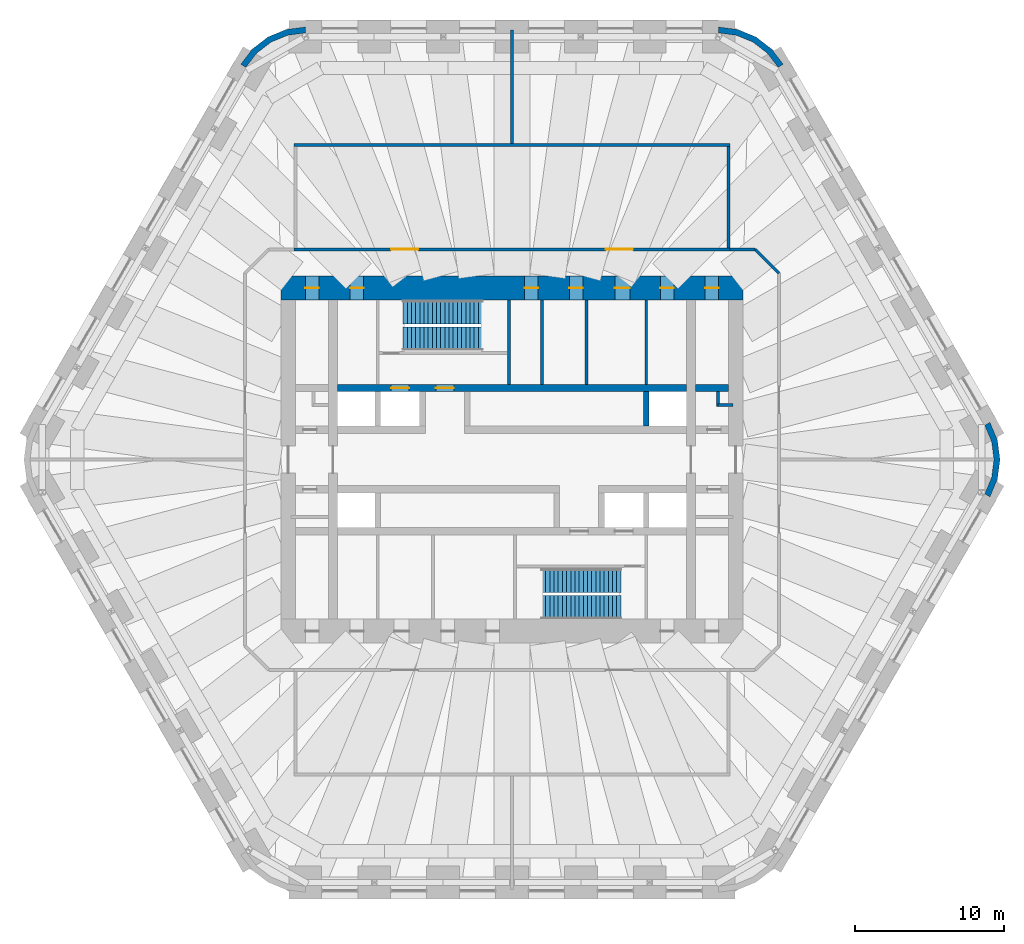
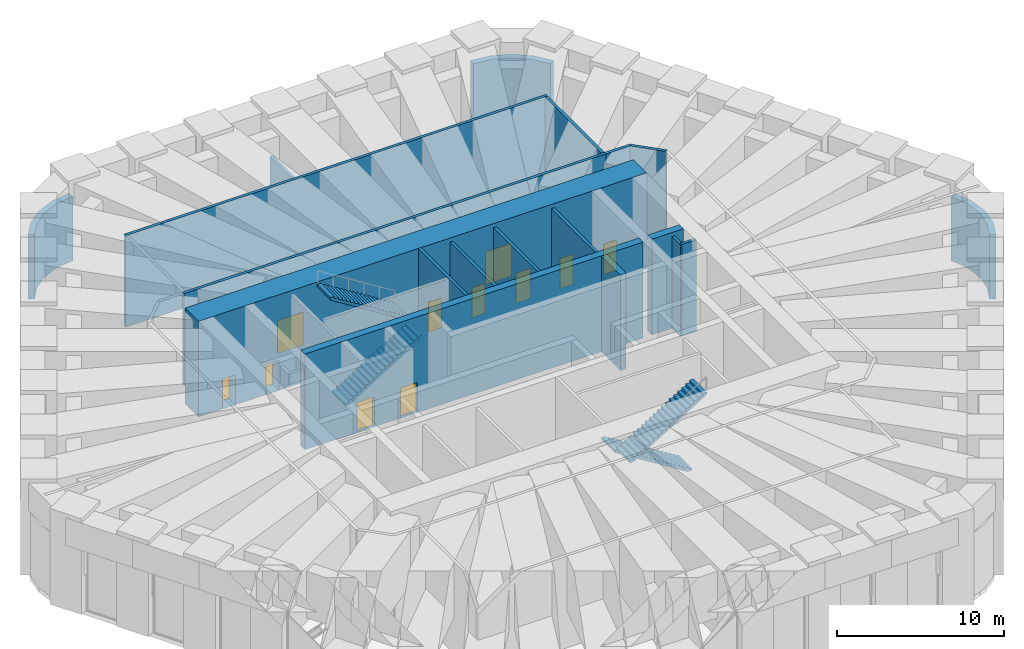
# One storey, part 13 of 14: 19 walls, 11 doors, 4 stair flights, 11 openings, 2 elements without a shape of their own.
"""IFC4 building model written with IfcOpenShell, lengths in metres."""

import ifcopenshell
import ifcopenshell.guid

model = None  # the IFC model being written
_history = None  # IfcOwnerHistory: only IFC2X3 demands one
_inside = {}  # id of a spatial element -> (the spatial element, [elements in it])
_under = {}  # id of a project, library or spatial element -> (it, [spatial elements below it])
_declared = {}  # id of a project -> (the project, [libraries it declares])
_typed = {}  # id of a type object -> (the type object, [elements of that type])
_made_of = {}  # id of a material, layer set ... -> (it, [elements and type objects made of it])


def new_model(schema):
    """Start an empty IFC model of exactly this schema.

    Asked for "IFC4X3", IfcOpenShell would pick the latest addendum, in which some entities
    have other attributes; the version numbers below select the first issue.
    IFC2X3 requires an IfcOwnerHistory on every rooted entity: one is made here for all.
    """
    global model, _history
    if schema == "IFC4X3":
        model = ifcopenshell.file(schema_version=(4, 3, 0, 0))
    else:
        model = ifcopenshell.file(schema=schema)
    _inside.clear()
    _under.clear()
    _declared.clear()
    _typed.clear()
    _made_of.clear()
    _history = None
    if model.schema == "IFC2X3":
        org = make("IfcOrganization", Name="unknown")
        user = make(
            "IfcPersonAndOrganization",
            ThePerson=make("IfcPerson", FamilyName="unknown"),
            TheOrganization=org,
        )
        app = make(
            "IfcApplication",
            ApplicationDeveloper=org,
            Version="unknown",
            ApplicationFullName="unknown",
            ApplicationIdentifier="unknown",
        )
        _history = make(
            "IfcOwnerHistory",
            OwningUser=user,
            OwningApplication=app,
            ChangeAction="ADDED",
            CreationDate=0,
        )
    return model


def make(cls, **values):
    """One entity of the class cls with the attributes given. An attribute that is None is left unset."""
    return model.create_entity(
        cls, **{name: value for name, value in values.items() if value is not None}
    )


def rooted(cls, **values):
    """An entity with a GlobalId (a new one), such as an element, a storey or a relation."""
    return make(cls, GlobalId=ifcopenshell.guid.new(), OwnerHistory=_history, **values)


def si_unit(unit_type, name, prefix=None):
    """IfcSIUnit, for example si_unit("LENGTHUNIT", "METRE", prefix="MILLI")."""
    return make("IfcSIUnit", UnitType=unit_type, Prefix=prefix, Name=name)


def assignment(units):
    """IfcUnitAssignment: the units of a project."""
    return None if units is None else make("IfcUnitAssignment", Units=units)


def point(xyz):
    """IfcCartesianPoint."""
    return None if xyz is None else make("IfcCartesianPoint", Coordinates=xyz)


def direction(xyz):
    """IfcDirection."""
    return None if xyz is None else make("IfcDirection", DirectionRatios=xyz)


def frame(location, z_axis=None, x_axis=None):
    """IfcAxis2Placement3D, a coordinate frame: its origin and axes. An axis left out is left unset."""
    return make(
        "IfcAxis2Placement3D",
        Location=point(location),
        Axis=direction(z_axis),
        RefDirection=direction(x_axis),
    )


def frame_2d(location, x_axis=None):
    """IfcAxis2Placement2D, a coordinate frame in the plane: its origin and x axis."""
    return make(
        "IfcAxis2Placement2D", Location=point(location), RefDirection=direction(x_axis)
    )


def origin():
    """The frame at (0, 0, 0) with its axes left unset."""
    return frame((0.0, 0.0, 0.0))


def place(relative_to, where):
    """IfcLocalPlacement: puts the frame where relative to a parent placement (None: the world)."""
    return make(
        "IfcLocalPlacement", PlacementRelTo=relative_to, RelativePlacement=where
    )


def context(
    kind, dimensions, precision=None, world=None, true_north=None, identifier=None
):
    """IfcGeometricRepresentationContext, for example the 3D "Model" context."""
    return make(
        "IfcGeometricRepresentationContext",
        ContextIdentifier=identifier,
        ContextType=kind,
        CoordinateSpaceDimension=dimensions,
        Precision=precision,
        WorldCoordinateSystem=world,
        TrueNorth=true_north,
    )


def subcontext(parent, identifier, kind, view, scale=None):
    """IfcGeometricRepresentationSubContext, for example "Body" below "Model"."""
    return make(
        "IfcGeometricRepresentationSubContext",
        ContextIdentifier=identifier,
        ContextType=kind,
        ParentContext=parent,
        TargetScale=scale,
        TargetView=view,
    )


def project(units=None, contexts=None):
    """IfcProject with its units and contexts."""
    return rooted(
        "IfcProject",
        Name="project",
        RepresentationContexts=contexts,
        UnitsInContext=assignment(units),
    )


def spatial(cls, under=None, at=None, **own):
    """A site, building, storey or space (cls), placed at a placement, below another one or the project."""
    s = rooted(cls, ObjectPlacement=at, **own)
    if under is not None:
        _under.setdefault(under.id(), (under, []))[1].append(s)
    return s


def polyline(points):
    """IfcPolyline through the points."""
    return make("IfcPolyline", Points=[point(p) for p in points])


def profile(cls, at=None, kind="AREA", **sizes):
    """A parametric profile (cls). Its sizes go by their IFC names, for example OverallWidth=200.0."""
    return make(cls, ProfileType=kind, Position=at, **sizes)


def rectangle(**sizes):
    """IfcRectangleProfileDef."""
    return profile("IfcRectangleProfileDef", **sizes)


def outline(outer, holes=None, kind="AREA"):
    """IfcArbitraryClosedProfileDef: a profile drawn as a closed curve; with holes, ...WithVoids."""
    if holes is None:
        return make("IfcArbitraryClosedProfileDef", ProfileType=kind, OuterCurve=outer)
    return make(
        "IfcArbitraryProfileDefWithVoids",
        ProfileType=kind,
        OuterCurve=outer,
        InnerCurves=holes,
    )


def extrude(swept, where, along, depth):
    """IfcExtrudedAreaSolid: the profile swept, set in the frame where, extruded along a direction by depth."""
    return make(
        "IfcExtrudedAreaSolid",
        SweptArea=swept,
        Position=where,
        ExtrudedDirection=direction(along),
        Depth=depth,
    )


def shape(context_of_items, identifier, shape_type, items):
    """IfcShapeRepresentation: the items that make up one representation, for example the "Body"."""
    return make(
        "IfcShapeRepresentation",
        ContextOfItems=context_of_items,
        RepresentationIdentifier=identifier,
        RepresentationType=shape_type,
        Items=items,
    )


def material(Name=None, Category=None):
    """IfcMaterial."""
    return make("IfcMaterial", Name=Name, Category=Category)


def layer(
    of_material, thickness, ventilated=None, Name=None, Category=None, Priority=None
):
    """IfcMaterialLayer: one layer of a wall or slab, of a material (None: an air gap)."""
    return make(
        "IfcMaterialLayer",
        Material=of_material,
        LayerThickness=thickness,
        IsVentilated=ventilated,
        Name=Name,
        Category=Category,
        Priority=Priority,
    )


def layer_set(layers, Name=None):
    """IfcMaterialLayerSet."""
    return make("IfcMaterialLayerSet", MaterialLayers=layers, LayerSetName=Name)


def made_of(thing, what):
    """Note that an element or type object is made of a material, layer set ...; save() writes the relation."""
    if what is not None:
        _made_of.setdefault(what.id(), (what, []))[1].append(thing)
    return thing


def type_object(cls, material=None, **own):
    """A type object (cls), such as IfcWallType, which elements share."""
    return made_of(rooted(cls, **own), material)


def element(
    cls,
    number,
    at=None,
    inside=None,
    cuts=None,
    type_object=None,
    material=None,
    context=None,
    identifier="Body",
    shape_type=None,
    held_by="IfcProductDefinitionShape",
    body=None,
    shapes=None,
    **own,
):
    """One element of the class cls, such as IfcWall. Its Tag is "e" and its number.

    at: its placement. inside: the storey or other place that contains it. cuts: it is an
    opening in that element (IfcRelVoidsElement). A single representation is given by context,
    identifier, shape_type and body (its items); several are given by shapes. held_by: the class
    of the entity that holds the representations. save() writes the other relations.
    """
    e = rooted(cls, Tag="e%d" % number, ObjectPlacement=at, **own)
    if body is not None:
        shapes = [shape(context, identifier, shape_type, body)]
    if shapes is not None:
        e.Representation = make(held_by, Representations=shapes)
    if inside is not None:
        _inside.setdefault(inside.id(), (inside, []))[1].append(e)
    if cuts is not None:
        rooted(
            "IfcRelVoidsElement", RelatingBuildingElement=cuts, RelatedOpeningElement=e
        )
    if type_object is not None:
        _typed.setdefault(type_object.id(), (type_object, []))[1].append(e)
    return made_of(e, material)


def fill(opening, filler):
    """IfcRelFillsElement: the door or window that sits in an opening."""
    return rooted(
        "IfcRelFillsElement",
        RelatingOpeningElement=opening,
        RelatedBuildingElement=filler,
    )


def aggregate(whole, parts):
    """IfcRelAggregates: a whole, such as a stair, and the parts it consists of."""
    return rooted("IfcRelAggregates", RelatingObject=whole, RelatedObjects=parts)


def save(model, path):
    """Write the relations noted so far, then the file.

    IfcRelAggregates (storeys below a building ...), IfcRelContainedInSpatialStructure (elements
    in a storey), IfcRelDefinesByType, IfcRelAssociatesMaterial and IfcRelDeclares: one each for
    every whole, place, type object, material and project.
    """
    for whole, parts in _under.values():
        aggregate(whole, parts)
    for where, things in _inside.values():
        rooted(
            "IfcRelContainedInSpatialStructure",
            RelatedElements=things,
            RelatingStructure=where,
        )
    for kind, things in _typed.values():
        rooted("IfcRelDefinesByType", RelatedObjects=things, RelatingType=kind)
    for what, things in _made_of.values():
        rooted("IfcRelAssociatesMaterial", RelatedObjects=things, RelatingMaterial=what)
    for by, libraries in _declared.values():
        rooted("IfcRelDeclares", RelatingContext=by, RelatedDefinitions=libraries)
    model.write(path)


model = new_model("IFC4")

# Units and contexts
model_context = context("Model", 3, precision=1e-05, world=origin(), true_north=direction((0.0, 1.0)))
body_context = subcontext(model_context, "Body", "Model", "MODEL_VIEW")
ifc_project = project(units=[si_unit("LENGTHUNIT", "METRE"), si_unit("AREAUNIT", "SQUARE_METRE"), si_unit("VOLUMEUNIT", "CUBIC_METRE"), si_unit("PLANEANGLEUNIT", "RADIAN"), si_unit("MASSUNIT", "GRAM", prefix="KILO")], contexts=[model_context])

# Site, building, storey
site_placement = place(None, origin())
site = spatial("IfcSite", under=ifc_project, at=site_placement, CompositionType="ELEMENT")
building_placement = place(site_placement, origin())
building = spatial("IfcBuilding", under=site, at=building_placement, Name="Tarfa Lantern Tower", CompositionType="ELEMENT")
storey_placement = place(building_placement, frame((0.0, 0.0, 299.5)))
storey = spatial("IfcBuildingStorey", under=building, at=storey_placement, Name="L68", CompositionType="ELEMENT", Elevation=299.5)

# Walls
ifc_material_1 = material(Name="Limestone cladding on blockwork", Category="masonry")
ifc_layer_1 = layer(ifc_material_1, 0.39990234375)
ifc_layer_set_1 = layer_set([ifc_layer_1], Name="EW2 CURVED STONE CORNER 400")
wall_type_1 = type_object("IfcWallType", Name="EW2 CURVED STONE CORNER 400", PredefinedType="SOLIDWALL", material=ifc_layer_set_1)
wall_1_placement = place(storey_placement, origin())
element("IfcWall", 1, at=wall_1_placement, inside=storey, type_object=wall_type_1, Name="Stone corner NE-N", PredefinedType="SOLIDWALL", context=body_context, shape_type="SweptSolid", body=[
    extrude(outline(polyline([(18.1865234375, 26.5), (17.391845703125, 27.53564453125), (16.3564453125, 28.330078125), (15.150390625, 28.82958984375), (13.8564453125, 29.0), (13.8564453125, 28.60009765625), (15.046875, 28.443359375), (16.156494140625, 27.983642578125), (17.109130859375, 27.252685546875), (17.840087890625, 26.300048828125), (18.1865234375, 26.5)])), origin(), (0.0, 0.0, 1.0), 4.699951171875),
])
wall_2_placement = place(storey_placement, origin())
element("IfcWall", 2, at=wall_2_placement, inside=storey, type_object=wall_type_1, Name="Stone corner N-NW", PredefinedType="SOLIDWALL", context=body_context, shape_type="SweptSolid", body=[
    extrude(outline(polyline([(-13.8564453125, 29.0), (-15.150390625, 28.82958984375), (-16.3564453125, 28.330078125), (-17.391845703125, 27.53564453125), (-18.1865234375, 26.5), (-17.840087890625, 26.300048828125), (-17.109130859375, 27.252685546875), (-16.156494140625, 27.983642578125), (-15.046875, 28.443359375), (-13.8564453125, 28.60009765625), (-13.8564453125, 29.0)])), origin(), (0.0, 0.0, 1.0), 4.699951171875),
])
wall_3_placement = place(storey_placement, origin())
element("IfcWall", 3, at=wall_3_placement, inside=storey, type_object=wall_type_1, Name="Stone corner SE-NE", PredefinedType="SOLIDWALL", context=body_context, shape_type="SweptSolid", body=[
    extrude(outline(polyline([(32.04296875, -2.5), (32.54248046875, -1.294189453125), (32.712890625, 0.0), (32.54248046875, 1.294189453125), (32.04296875, 2.5), (31.696533203125, 2.300048828125), (32.156005859375, 1.190673828125), (32.312744140625, 0.0), (32.156005859375, -1.190673828125), (31.696533203125, -2.300048828125), (32.04296875, -2.5)])), origin(), (0.0, 0.0, 1.0), 4.699951171875),
])
ifc_material_2 = material(Name="Concrete blockwork", Category="masonry")
ifc_layer_2 = layer(ifc_material_2, 0.199951171875)
ifc_layer_set_2 = layer_set([ifc_layer_2], Name="IW1 BLOCKWORK PARTITION 200 EI 120")
wall_type_2 = type_object("IfcWallType", Name="IW1 BLOCKWORK PARTITION 200 EI 120", PredefinedType="PARTITIONING", material=ifc_layer_set_2)
for number, where, z_axis, x_axis, name in (
    (4, (9.0, 5.050048828125, 0.0), (0.0, 0.0, 1.0), (0.0, 1.0, 0.0), "Core partition"),
    (5, (2.0, 5.050048828125, 0.0), (0.0, 0.0, 1.0), (0.0, 1.0, 0.0), "Core partition"),
    (6, (5.0, 5.050048828125, 0.0), (0.0, 0.0, 1.0), (0.0, 1.0, 0.0), "Core partition"),
):
    element("IfcWall", number, at=place(storey_placement, frame(where, z_axis=z_axis, x_axis=x_axis)), inside=storey, type_object=wall_type_2, Name=name, PredefinedType="PARTITIONING", context=body_context, shape_type="SweptSolid", body=[
        extrude(rectangle(XDim=5.64990234375, YDim=0.199951171875, at=frame_2d((2.824951171875, 0.0))), origin(), (0.0, 0.0, 1.0), 6.699951171875),
    ])
for number, where, z_axis, x_axis, name in (
    (7, (13.800048828125, 3.64990234375, 0.0), (0.0, 0.0, 1.0), (1.0, 0.0, 0.0), "Core partition"),
    (8, (13.800048828125, 3.550048828125, 0.0), (0.0, 0.0, 1.0), (0.0, 1.0, 0.0), "Core partition"),
):
    element("IfcWall", number, at=place(storey_placement, frame(where, z_axis=z_axis, x_axis=x_axis)), inside=storey, type_object=wall_type_2, Name=name, PredefinedType="PARTITIONING", context=body_context, shape_type="SweptSolid", body=[
        extrude(rectangle(XDim=1.0, YDim=0.199951171875, at=frame_2d((0.5, 0.0))), origin(), (0.0, 0.0, 1.0), 6.699951171875),
    ])
wall_4_placement = place(storey_placement, frame((14.60009765625, 14.10009765625, 0.0), z_axis=(0.0, 0.0, 1.0), x_axis=(1.0, 0.0, 0.0)))
element("IfcWall", 9, at=wall_4_placement, inside=storey, type_object=wall_type_2, Name="Fire-rated partition", PredefinedType="PARTITIONING", context=body_context, shape_type="SweptSolid", body=[
    extrude(rectangle(XDim=1.699951171875, YDim=0.199951171875, at=frame_2d((0.85009765625, 0.0))), origin(), (0.0, 0.0, 1.0), 6.699951171875),
])
wall_5_placement = place(storey_placement, frame((16.300048828125, 14.10009765625, 0.0), z_axis=(0.0, 0.0, 1.0), x_axis=(0.707052830339, -0.707160727918, 0.0)))
element("IfcWall", 10, at=wall_5_placement, inside=storey, type_object=wall_type_2, Name="Fire-rated partition", PredefinedType="PARTITIONING", context=body_context, shape_type="SweptSolid", body=[
    extrude(rectangle(XDim=2.2626953125, YDim=0.199951171875, at=frame_2d((1.13134765625, 0.0))), origin(), (0.0, 0.0, 1.0), 6.699951171875),
])
wall_6_placement = place(storey_placement, frame((0.0, 21.199951171875, 0.0), z_axis=(0.0, 0.0, 1.0), x_axis=(0.0, 1.0, 0.0)))
element("IfcWall", 11, at=wall_6_placement, inside=storey, type_object=wall_type_2, Name="Fire-rated partition", PredefinedType="PARTITIONING", context=body_context, shape_type="SweptSolid", body=[
    extrude(rectangle(XDim=7.610107421875, YDim=0.199951171875, at=frame_2d((3.80517578125, 0.0))), origin(), (0.0, 0.0, 1.0), 2.699951171875),
])

# Wall, openings, doors
ifc_material_3 = material(Name="Gypsum board on steel studs", Category="steel")
ifc_layer_3 = layer(ifc_material_3, 0.2099609375)
ifc_layer_set_3 = layer_set([ifc_layer_3], Name="IW2 ACOUSTIC PARTITION 200")
wall_type_3 = type_object("IfcWallType", Name="IW2 ACOUSTIC PARTITION 200", PredefinedType="PARTITIONING", material=ifc_layer_set_3)
wall_7_placement = place(storey_placement, frame((-14.60009765625, 14.10009765625, 0.0), z_axis=(0.0, 0.0, 1.0), x_axis=(1.0, 0.0, 0.0)))
wall_7 = element("IfcWall", 12, at=wall_7_placement, inside=storey, type_object=wall_type_3, Name="Partition", PredefinedType="PARTITIONING", context=body_context, shape_type="SweptSolid", body=[
    extrude(rectangle(XDim=29.2001953125, YDim=0.199951171875, at=frame_2d((14.60009765625, 0.0))), origin(), (0.0, 0.0, 1.0), 6.699951171875),
])
opening_1_placement = place(wall_7_placement, frame((6.5, 0.0, 0.0)))
opening_1 = element("IfcOpeningElement", 13, at=opening_1_placement, cuts=wall_7, Name="Opening D31", PredefinedType="OPENING", context=body_context, shape_type="SweptSolid", body=[
    extrude(rectangle(XDim=1.800048828125, YDim=2.39990234375, at=frame_2d((0.89990234375, 1.199951171875))), frame((0.0, 0.10986328125, 0.0), z_axis=(0.0, -1.0, 0.0), x_axis=(1.0, 0.0, 0.0)), (0.0, 0.0, 1.0), 0.219970703125),
])
opening_2_placement = place(wall_7_placement, frame((20.89990234375, 0.0, 0.0)))
opening_2 = element("IfcOpeningElement", 14, at=opening_2_placement, cuts=wall_7, Name="Opening D32", PredefinedType="OPENING", context=body_context, shape_type="SweptSolid", body=[
    extrude(rectangle(XDim=1.800048828125, YDim=2.39990234375, at=frame_2d((0.89990234375, 1.199951171875))), frame((0.0, 0.10986328125, 0.0), z_axis=(0.0, -1.0, 0.0), x_axis=(1.0, 0.0, 0.0)), (0.0, 0.0, 1.0), 0.219970703125),
])
ifc_material_4 = material(Name="Timber door", Category="wood")
door_type_1 = type_object("IfcDoorType", Name="DR2 ROOM DOOR 1800x2400", OperationType="DOUBLE_DOOR_SINGLE_SWING", PredefinedType="DOOR", material=ifc_material_4)
door_1_placement = place(opening_1_placement, origin())
door_1 = element("IfcDoor", 15, at=door_1_placement, inside=storey, type_object=door_type_1, Name="Refuge area door", OperationType="DOUBLE_DOOR_SINGLE_SWING", OverallHeight=2.39990234375, OverallWidth=1.800048828125, PredefinedType="DOOR", context=body_context, shape_type="SweptSolid", body=[
    extrude(rectangle(XDim=1.800048828125, YDim=2.39990234375, at=frame_2d((0.89990234375, 1.199951171875))), frame((0.0, 0.02490234375, 0.0), z_axis=(0.0, -1.0, 0.0), x_axis=(1.0, 0.0, 0.0)), (0.0, 0.0, 1.0), 0.050048828125),
])
fill(opening_1, door_1)
door_2_placement = place(opening_2_placement, origin())
door_2 = element("IfcDoor", 16, at=door_2_placement, inside=storey, type_object=door_type_1, Name="Refuge area door", OperationType="DOUBLE_DOOR_SINGLE_SWING", OverallHeight=2.39990234375, OverallWidth=1.800048828125, PredefinedType="DOOR", context=body_context, shape_type="SweptSolid", body=[
    extrude(rectangle(XDim=1.800048828125, YDim=2.39990234375, at=frame_2d((0.89990234375, 1.199951171875))), frame((0.0, 0.02490234375, 0.0), z_axis=(0.0, -1.0, 0.0), x_axis=(1.0, 0.0, 0.0)), (0.0, 0.0, 1.0), 0.050048828125),
])
fill(opening_2, door_2)

# Walls
wall_8_placement = place(storey_placement, frame((14.5, 14.199951171875, 0.0), z_axis=(0.0, 0.0, 1.0), x_axis=(0.0, 1.0, 0.0)))
element("IfcWall", 17, at=wall_8_placement, inside=storey, type_object=wall_type_3, Name="Partition", PredefinedType="PARTITIONING", context=body_context, shape_type="SweptSolid", body=[
    extrude(rectangle(XDim=6.800048828125, YDim=0.199951171875, at=frame_2d((3.39990234375, 0.0))), origin(), (0.0, 0.0, 1.0), 6.699951171875),
])
wall_9_placement = place(storey_placement, frame((-14.60009765625, 21.10009765625, 0.0), z_axis=(0.0, 0.0, 1.0), x_axis=(1.0, 0.0, 0.0)))
element("IfcWall", 18, at=wall_9_placement, inside=storey, type_object=wall_type_3, Name="Partition", PredefinedType="PARTITIONING", context=body_context, shape_type="SweptSolid", body=[
    extrude(rectangle(XDim=29.2001953125, YDim=0.199951171875, at=frame_2d((14.60009765625, 0.0))), origin(), (0.0, 0.0, 1.0), 6.699951171875),
])
ifc_material_5 = material(Name="Concrete C80/95", Category="concrete")
ifc_layer_4 = layer(ifc_material_5, 0.199951171875)
ifc_layer_set_4 = layer_set([ifc_layer_4], Name="SW12 CORE WALL 200")
wall_type_4 = type_object("IfcWallType", Name="SW12 CORE WALL 200", PredefinedType="SHEAR", material=ifc_layer_set_4)
wall_10_placement = place(storey_placement, frame((-0.199951171875, 5.050048828125, 0.0), z_axis=(0.0, 0.0, 1.0), x_axis=(0.0, 1.0, 0.0)))
element("IfcWall", 19, at=wall_10_placement, inside=storey, type_object=wall_type_4, Name="Core wall stair shaft N", PredefinedType="SHEAR", context=body_context, shape_type="SweptSolid", body=[
    extrude(rectangle(XDim=5.64990234375, YDim=0.199951171875, at=frame_2d((2.824951171875, 0.0))), origin(), (0.0, 0.0, 1.0), 7.0),
])

# Wall, openings, doors
ifc_layer_5 = layer(ifc_material_5, 0.5)
ifc_layer_set_5 = layer_set([ifc_layer_5], Name="SW5 CORE WALL 500")
wall_type_5 = type_object("IfcWallType", Name="SW5 CORE WALL 500", PredefinedType="SHEAR", material=ifc_layer_set_5)
wall_11_placement = place(storey_placement, frame((-11.699951171875, 4.800048828125, 0.0), z_axis=(0.0, 0.0, 1.0), x_axis=(1.0, 0.0, 0.0)))
wall_11 = element("IfcWall", 20, at=wall_11_placement, inside=storey, type_object=wall_type_5, Name="Core wall rear N", PredefinedType="SHEAR", context=body_context, shape_type="SweptSolid", body=[
    extrude(rectangle(XDim=23.39990234375, YDim=0.5, at=frame_2d((11.699951171875, 0.0))), origin(), (0.0, 0.0, 1.0), 7.0),
])
opening_3_placement = place(wall_11_placement, frame((6.60009765625, 0.0, 0.0)))
opening_3 = element("IfcOpeningElement", 21, at=opening_3_placement, cuts=wall_11, Name="Opening D09", PredefinedType="OPENING", context=body_context, shape_type="SweptSolid", body=[
    extrude(rectangle(XDim=1.199951171875, YDim=2.199951171875, at=frame_2d((0.60009765625, 1.10009765625))), frame((0.0, 0.260009765625, 0.0), z_axis=(0.0, -1.0, 0.0), x_axis=(1.0, 0.0, 0.0)), (0.0, 0.0, 1.0), 0.52001953125),
])
opening_4_placement = place(wall_11_placement, frame((3.60009765625, 0.0, 0.0)))
opening_4 = element("IfcOpeningElement", 22, at=opening_4_placement, cuts=wall_11, Name="Opening LD01", PredefinedType="OPENING", context=body_context, shape_type="SweptSolid", body=[
    extrude(rectangle(XDim=1.199951171875, YDim=2.199951171875, at=frame_2d((0.60009765625, 1.10009765625))), frame((0.0, 0.260009765625, 0.0), z_axis=(0.0, -1.0, 0.0), x_axis=(1.0, 0.0, 0.0)), (0.0, 0.0, 1.0), 0.52001953125),
])
ifc_material_6 = material(Name="Steel fire door", Category="steel")
door_type_2 = type_object("IfcDoorType", Name="DF1 FIREFIGHTING LOBBY DOOR 1200x2200", OperationType="SINGLE_SWING_LEFT", PredefinedType="DOOR", material=ifc_material_6)
door_3_placement = place(opening_3_placement, origin())
door_3 = element("IfcDoor", 23, at=door_3_placement, inside=storey, type_object=door_type_2, Name="Firefighting lobby door", OperationType="SINGLE_SWING_LEFT", OverallHeight=2.199951171875, OverallWidth=1.199951171875, PredefinedType="DOOR", context=body_context, shape_type="SweptSolid", body=[
    extrude(rectangle(XDim=1.199951171875, YDim=2.199951171875, at=frame_2d((0.60009765625, 1.10009765625))), frame((0.0, 0.02490234375, 0.0), z_axis=(0.0, -1.0, 0.0), x_axis=(1.0, 0.0, 0.0)), (0.0, 0.0, 1.0), 0.050048828125),
])
fill(opening_3, door_3)
ifc_material_7 = material(Name="Stainless steel lift door", Category="steel")
door_type_3 = type_object("IfcDoorType", Name="LD1 LIFT LANDING DOOR 1200x2200", OperationType="SLIDING_TO_LEFT", PredefinedType="DOOR", material=ifc_material_7)
door_4_placement = place(opening_4_placement, origin())
door_4 = element("IfcDoor", 24, at=door_4_placement, inside=storey, type_object=door_type_3, Name="Landing door FL1", OperationType="SLIDING_TO_LEFT", OverallHeight=2.199951171875, OverallWidth=1.199951171875, PredefinedType="DOOR", context=body_context, shape_type="SweptSolid", body=[
    extrude(rectangle(XDim=1.199951171875, YDim=2.199951171875, at=frame_2d((0.60009765625, 1.10009765625))), frame((0.0, 0.02490234375, 0.0), z_axis=(0.0, -1.0, 0.0), x_axis=(1.0, 0.0, 0.0)), (0.0, 0.0, 1.0), 0.050048828125),
])
fill(opening_4, door_4)

# Walls
wall_12_placement = place(storey_placement, frame((12.300048828125, 4.800048828125, 0.0), z_axis=(0.0, 0.0, 1.0), x_axis=(1.0, 0.0, 0.0)))
element("IfcWall", 25, at=wall_12_placement, inside=storey, type_object=wall_type_5, Name="Core wall rear N", PredefinedType="SHEAR", context=body_context, shape_type="SweptSolid", body=[
    extrude(rectangle(XDim=2.199951171875, YDim=0.5, at=frame_2d((1.10009765625, 0.0))), origin(), (0.0, 0.0, 1.0), 7.0),
])
ifc_layer_6 = layer(ifc_material_5, 0.39990234375)
ifc_layer_set_6 = layer_set([ifc_layer_6], Name="SW6 CORE WALL 400")
wall_type_6 = type_object("IfcWallType", Name="SW6 CORE WALL 400", PredefinedType="SHEAR", material=ifc_layer_set_6)
wall_13_placement = place(storey_placement, frame((9.0, 2.25, 0.0), z_axis=(0.0, 0.0, 1.0), x_axis=(0.0, 1.0, 0.0)))
element("IfcWall", 26, at=wall_13_placement, inside=storey, type_object=wall_type_6, Name="Core wall divider N", PredefinedType="SHEAR", context=body_context, shape_type="SweptSolid", body=[
    extrude(rectangle(XDim=2.300048828125, YDim=0.39990234375, at=frame_2d((1.14990234375, 0.0))), origin(), (0.0, 0.0, 1.0), 7.0),
])

# Wall, openings, doors
ifc_layer_7 = layer(ifc_material_5, 1.60009765625)
ifc_layer_set_7 = layer_set([ifc_layer_7], Name="SW7 CORE WALL 1600")
wall_type_7 = type_object("IfcWallType", Name="SW7 CORE WALL 1600", PredefinedType="SHEAR", material=ifc_layer_set_7)
wall_14_placement = place(storey_placement, frame((-15.5, 11.5, 0.0), z_axis=(0.0, 0.0, 1.0), x_axis=(1.0, 0.0, 0.0)))
wall_14 = element("IfcWall", 27, at=wall_14_placement, inside=storey, type_object=wall_type_7, Name="Core wall N", PredefinedType="SHEAR", context=body_context, shape_type="SweptSolid", body=[
    extrude(rectangle(XDim=31.0, YDim=1.60009765625, at=frame_2d((15.5, 0.0))), origin(), (0.0, 0.0, 1.0), 7.0),
])
opening_5_placement = place(wall_14_placement, frame((16.35009765625, 0.0, 0.0)))
opening_5 = element("IfcOpeningElement", 28, at=opening_5_placement, cuts=wall_14, Name="Opening D17", PredefinedType="OPENING", context=body_context, shape_type="SweptSolid", body=[
    extrude(rectangle(XDim=0.89990234375, YDim=2.199951171875, at=frame_2d((0.449951171875, 1.10009765625))), frame((0.0, 0.81005859375, 0.0), z_axis=(0.0, -1.0, 0.0), x_axis=(1.0, 0.0, 0.0)), (0.0, 0.0, 1.0), 1.6201171875),
])
opening_6_placement = place(wall_14_placement, frame((19.35009765625, 0.0, 0.0)))
opening_6 = element("IfcOpeningElement", 29, at=opening_6_placement, cuts=wall_14, Name="Opening D19", PredefinedType="OPENING", context=body_context, shape_type="SweptSolid", body=[
    extrude(rectangle(XDim=0.89990234375, YDim=2.199951171875, at=frame_2d((0.449951171875, 1.10009765625))), frame((0.0, 0.81005859375, 0.0), z_axis=(0.0, -1.0, 0.0), x_axis=(1.0, 0.0, 0.0)), (0.0, 0.0, 1.0), 1.6201171875),
])
opening_7_placement = place(wall_14_placement, frame((22.39990234375, 0.0, 0.0)))
opening_7 = element("IfcOpeningElement", 30, at=opening_7_placement, cuts=wall_14, Name="Opening D21", PredefinedType="OPENING", context=body_context, shape_type="SweptSolid", body=[
    extrude(rectangle(XDim=1.0, YDim=2.199951171875, at=frame_2d((0.5, 1.10009765625))), frame((0.0, 0.81005859375, 0.0), z_axis=(0.0, -1.0, 0.0), x_axis=(1.0, 0.0, 0.0)), (0.0, 0.0, 1.0), 1.6201171875),
])
opening_8_placement = place(wall_14_placement, frame((1.64990234375, 0.0, 0.0)))
opening_8 = element("IfcOpeningElement", 31, at=opening_8_placement, cuts=wall_14, Name="Opening D07", PredefinedType="OPENING", context=body_context, shape_type="SweptSolid", body=[
    extrude(rectangle(XDim=0.89990234375, YDim=2.199951171875, at=frame_2d((0.449951171875, 1.10009765625))), frame((0.0, 0.81005859375, 0.0), z_axis=(0.0, -1.0, 0.0), x_axis=(1.0, 0.0, 0.0)), (0.0, 0.0, 1.0), 1.6201171875),
])
opening_9_placement = place(wall_14_placement, frame((4.64990234375, 0.0, 0.0)))
opening_9 = element("IfcOpeningElement", 32, at=opening_9_placement, cuts=wall_14, Name="Opening D05", PredefinedType="OPENING", context=body_context, shape_type="SweptSolid", body=[
    extrude(rectangle(XDim=0.89990234375, YDim=2.199951171875, at=frame_2d((0.449951171875, 1.10009765625))), frame((0.0, 0.81005859375, 0.0), z_axis=(0.0, -1.0, 0.0), x_axis=(1.0, 0.0, 0.0)), (0.0, 0.0, 1.0), 1.6201171875),
])
opening_10_placement = place(wall_14_placement, frame((25.449951171875, 0.0, 0.0)))
opening_10 = element("IfcOpeningElement", 33, at=opening_10_placement, cuts=wall_14, Name="Opening D03", PredefinedType="OPENING", context=body_context, shape_type="SweptSolid", body=[
    extrude(rectangle(XDim=0.89990234375, YDim=2.199951171875, at=frame_2d((0.449951171875, 1.10009765625))), frame((0.0, 0.81005859375, 0.0), z_axis=(0.0, -1.0, 0.0), x_axis=(1.0, 0.0, 0.0)), (0.0, 0.0, 1.0), 1.6201171875),
])
opening_11_placement = place(wall_14_placement, frame((28.449951171875, 0.0, 0.0)))
opening_11 = element("IfcOpeningElement", 34, at=opening_11_placement, cuts=wall_14, Name="Opening D01", PredefinedType="OPENING", context=body_context, shape_type="SweptSolid", body=[
    extrude(rectangle(XDim=0.89990234375, YDim=2.199951171875, at=frame_2d((0.449951171875, 1.10009765625))), frame((0.0, 0.81005859375, 0.0), z_axis=(0.0, -1.0, 0.0), x_axis=(1.0, 0.0, 0.0)), (0.0, 0.0, 1.0), 1.6201171875),
])
door_type_4 = type_object("IfcDoorType", Name="DF3 CORE ROOM DOOR 900x2200", OperationType="SINGLE_SWING_LEFT", PredefinedType="DOOR", material=ifc_material_6)
door_5_placement = place(opening_5_placement, frame((0.89990234375, 0.0, 0.0), z_axis=(0.0, 0.0, 1.0), x_axis=(-1.0, 0.0, 0.0)))
door_5 = element("IfcDoor", 35, at=door_5_placement, inside=storey, type_object=door_type_4, Name="Core door", OperationType="SINGLE_SWING_RIGHT", OverallHeight=2.199951171875, OverallWidth=0.89990234375, PredefinedType="DOOR", context=body_context, shape_type="SweptSolid", body=[
    extrude(rectangle(XDim=0.89990234375, YDim=2.199951171875, at=frame_2d((0.449951171875, 1.10009765625))), frame((0.0, 0.02490234375, 0.0), z_axis=(0.0, -1.0, 0.0), x_axis=(1.0, 0.0, 0.0)), (0.0, 0.0, 1.0), 0.050048828125),
])
fill(opening_5, door_5)
door_6_placement = place(opening_6_placement, frame((0.89990234375, 0.0, 0.0), z_axis=(0.0, 0.0, 1.0), x_axis=(-1.0, 0.0, 0.0)))
door_6 = element("IfcDoor", 36, at=door_6_placement, inside=storey, type_object=door_type_4, Name="Core door", OperationType="SINGLE_SWING_RIGHT", OverallHeight=2.199951171875, OverallWidth=0.89990234375, PredefinedType="DOOR", context=body_context, shape_type="SweptSolid", body=[
    extrude(rectangle(XDim=0.89990234375, YDim=2.199951171875, at=frame_2d((0.449951171875, 1.10009765625))), frame((0.0, 0.02490234375, 0.0), z_axis=(0.0, -1.0, 0.0), x_axis=(1.0, 0.0, 0.0)), (0.0, 0.0, 1.0), 0.050048828125),
])
fill(opening_6, door_6)
door_type_5 = type_object("IfcDoorType", Name="DF4 CORE ROOM DOOR 1000x2200", OperationType="SINGLE_SWING_LEFT", PredefinedType="DOOR", material=ifc_material_6)
door_7_placement = place(opening_7_placement, frame((1.0, 0.0, 0.0), z_axis=(0.0, 0.0, 1.0), x_axis=(-1.0, 0.0, 0.0)))
door_7 = element("IfcDoor", 37, at=door_7_placement, inside=storey, type_object=door_type_5, Name="Core door", OperationType="SINGLE_SWING_RIGHT", OverallHeight=2.199951171875, OverallWidth=1.0, PredefinedType="DOOR", context=body_context, shape_type="SweptSolid", body=[
    extrude(rectangle(XDim=1.0, YDim=2.199951171875, at=frame_2d((0.5, 1.10009765625))), frame((0.0, 0.02490234375, 0.0), z_axis=(0.0, -1.0, 0.0), x_axis=(1.0, 0.0, 0.0)), (0.0, 0.0, 1.0), 0.050048828125),
])
fill(opening_7, door_7)
door_type_6 = type_object("IfcDoorType", Name="DF5 RISER DOOR 900x2200", OperationType="SINGLE_SWING_LEFT", PredefinedType="DOOR", material=ifc_material_6)
door_8_placement = place(opening_8_placement, frame((0.89990234375, 0.0, 0.0), z_axis=(0.0, 0.0, 1.0), x_axis=(-1.0, 0.0, 0.0)))
door_8 = element("IfcDoor", 38, at=door_8_placement, inside=storey, type_object=door_type_6, Name="Riser door", OperationType="SINGLE_SWING_LEFT", OverallHeight=2.199951171875, OverallWidth=0.89990234375, PredefinedType="DOOR", context=body_context, shape_type="SweptSolid", body=[
    extrude(rectangle(XDim=0.89990234375, YDim=2.199951171875, at=frame_2d((0.449951171875, 1.10009765625))), frame((0.0, 0.02490234375, 0.0), z_axis=(0.0, -1.0, 0.0), x_axis=(1.0, 0.0, 0.0)), (0.0, 0.0, 1.0), 0.050048828125),
])
fill(opening_8, door_8)
door_9_placement = place(opening_9_placement, frame((0.89990234375, 0.0, 0.0), z_axis=(0.0, 0.0, 1.0), x_axis=(-1.0, 0.0, 0.0)))
door_9 = element("IfcDoor", 39, at=door_9_placement, inside=storey, type_object=door_type_6, Name="Riser door", OperationType="SINGLE_SWING_LEFT", OverallHeight=2.199951171875, OverallWidth=0.89990234375, PredefinedType="DOOR", context=body_context, shape_type="SweptSolid", body=[
    extrude(rectangle(XDim=0.89990234375, YDim=2.199951171875, at=frame_2d((0.449951171875, 1.10009765625))), frame((0.0, 0.02490234375, 0.0), z_axis=(0.0, -1.0, 0.0), x_axis=(1.0, 0.0, 0.0)), (0.0, 0.0, 1.0), 0.050048828125),
])
fill(opening_9, door_9)
door_10_placement = place(opening_10_placement, frame((0.89990234375, 0.0, 0.0), z_axis=(0.0, 0.0, 1.0), x_axis=(-1.0, 0.0, 0.0)))
door_10 = element("IfcDoor", 40, at=door_10_placement, inside=storey, type_object=door_type_6, Name="Riser door", OperationType="SINGLE_SWING_RIGHT", OverallHeight=2.199951171875, OverallWidth=0.89990234375, PredefinedType="DOOR", context=body_context, shape_type="SweptSolid", body=[
    extrude(rectangle(XDim=0.89990234375, YDim=2.199951171875, at=frame_2d((0.449951171875, 1.10009765625))), frame((0.0, 0.02490234375, 0.0), z_axis=(0.0, -1.0, 0.0), x_axis=(1.0, 0.0, 0.0)), (0.0, 0.0, 1.0), 0.050048828125),
])
fill(opening_10, door_10)
door_11_placement = place(opening_11_placement, frame((0.89990234375, 0.0, 0.0), z_axis=(0.0, 0.0, 1.0), x_axis=(-1.0, 0.0, 0.0)))
door_11 = element("IfcDoor", 41, at=door_11_placement, inside=storey, type_object=door_type_6, Name="Riser door", OperationType="SINGLE_SWING_RIGHT", OverallHeight=2.199951171875, OverallWidth=0.89990234375, PredefinedType="DOOR", context=body_context, shape_type="SweptSolid", body=[
    extrude(rectangle(XDim=0.89990234375, YDim=2.199951171875, at=frame_2d((0.449951171875, 1.10009765625))), frame((0.0, 0.02490234375, 0.0), z_axis=(0.0, -1.0, 0.0), x_axis=(1.0, 0.0, 0.0)), (0.0, 0.0, 1.0), 0.050048828125),
])
fill(opening_11, door_11)

# Stair, stair flights
ifc_material_8 = material(Name="Concrete C40/50", Category="concrete")
stair_type = type_object("IfcStairType", Name="ST-T3 HALF-TURN STAIR 7000 RISE", PredefinedType="HALF_TURN_STAIR", material=ifc_material_8)
stair_1_placement = place(storey_placement, origin())
stair_1 = element("IfcStair", 42, at=stair_1_placement, inside=storey, type_object=stair_type, Name="Stair ST1", PredefinedType="HALF_TURN_STAIR")
stair_flight_type = type_object("IfcStairFlightType", Name="SF1 STAIR FLIGHT", PredefinedType="STRAIGHT", material=ifc_material_8)
stair_flight_1_placement = place(storey_placement, frame((-7.300048828125, 8.10009765625, 0.0), z_axis=(0.0, 0.0, 1.0), x_axis=(1.0, 0.0, 0.0)))
stair_flight_1 = element("IfcStairFlight", 43, at=stair_flight_1_placement, type_object=stair_flight_type, Name="ST1 flight 1", NumberOfRisers=20, NumberOfTreads=19, PredefinedType="STRAIGHT", RiserHeight=0.175, TreadLength=0.28, context=body_context, shape_type="SweptSolid", body=[
    extrude(outline(polyline([(0.0, 0.0), (0.0, 0.175048828125), (0.280029296875, 0.175048828125), (0.280029296875, 0.35009765625), (0.56005859375, 0.35009765625), (0.56005859375, 0.52490234375), (0.840087890625, 0.52490234375), (0.840087890625, 0.699951171875), (1.1201171875, 0.699951171875), (1.1201171875, 0.875), (1.39990234375, 0.875), (1.39990234375, 1.050048828125), (1.679931640625, 1.050048828125), (1.679931640625, 1.22509765625), (1.9599609375, 1.22509765625), (1.9599609375, 1.39990234375), (2.239990234375, 1.39990234375), (2.239990234375, 1.574951171875), (2.52001953125, 1.574951171875), (2.52001953125, 1.75), (2.800048828125, 1.75), (2.800048828125, 1.925048828125), (3.080078125, 1.925048828125), (3.080078125, 2.10009765625), (3.360107421875, 2.10009765625), (3.360107421875, 2.27490234375), (3.639892578125, 2.27490234375), (3.639892578125, 2.449951171875), (3.919921875, 2.449951171875), (3.919921875, 2.625), (4.199951171875, 2.625), (4.199951171875, 2.800048828125), (4.47998046875, 2.800048828125), (4.47998046875, 2.97509765625), (4.760009765625, 2.97509765625), (4.760009765625, 3.14990234375), (5.0400390625, 3.14990234375), (5.0400390625, 3.324951171875), (5.320068359375, 3.324951171875), (5.320068359375, 3.5), (5.320068359375, 3.148193359375), (0.28271484375, 0.0), (0.0, 0.0)])), frame((0.0, 0.800048828125, 0.0), z_axis=(0.0, -1.0, 0.0), x_axis=(1.0, 0.0, 0.0)), (0.0, 0.0, 1.0), 1.60009765625),
])
stair_flight_2_placement = place(storey_placement, frame((-1.97998046875, 9.89990234375, 3.5), z_axis=(0.0, 0.0, 1.0), x_axis=(-1.0, 0.0, 0.0)))
stair_flight_2 = element("IfcStairFlight", 44, at=stair_flight_2_placement, type_object=stair_flight_type, Name="ST1 flight 2", NumberOfRisers=20, NumberOfTreads=19, PredefinedType="STRAIGHT", RiserHeight=0.175, TreadLength=0.28, context=body_context, shape_type="SweptSolid", body=[
    extrude(outline(polyline([(0.0, 0.0), (0.0, 0.175048828125), (0.280029296875, 0.175048828125), (0.280029296875, 0.35009765625), (0.56005859375, 0.35009765625), (0.56005859375, 0.52490234375), (0.840087890625, 0.52490234375), (0.840087890625, 0.699951171875), (1.1201171875, 0.699951171875), (1.1201171875, 0.875), (1.39990234375, 0.875), (1.39990234375, 1.050048828125), (1.679931640625, 1.050048828125), (1.679931640625, 1.22509765625), (1.9599609375, 1.22509765625), (1.9599609375, 1.39990234375), (2.239990234375, 1.39990234375), (2.239990234375, 1.574951171875), (2.52001953125, 1.574951171875), (2.52001953125, 1.75), (2.800048828125, 1.75), (2.800048828125, 1.925048828125), (3.080078125, 1.925048828125), (3.080078125, 2.10009765625), (3.360107421875, 2.10009765625), (3.360107421875, 2.27490234375), (3.639892578125, 2.27490234375), (3.639892578125, 2.449951171875), (3.919921875, 2.449951171875), (3.919921875, 2.625), (4.199951171875, 2.625), (4.199951171875, 2.800048828125), (4.47998046875, 2.800048828125), (4.47998046875, 2.97509765625), (4.760009765625, 2.97509765625), (4.760009765625, 3.14990234375), (5.0400390625, 3.14990234375), (5.0400390625, 3.324951171875), (5.320068359375, 3.324951171875), (5.320068359375, 3.5), (5.320068359375, 3.148193359375), (0.28271484375, 0.0), (0.0, 0.0)])), frame((0.0, 0.800048828125, 0.0), z_axis=(0.0, -1.0, 0.0), x_axis=(1.0, 0.0, 0.0)), (0.0, 0.0, 1.0), 1.60009765625),
])
aggregate(stair_1, [stair_flight_1, stair_flight_2])

stair_2_placement = place(storey_placement, origin())
stair_2 = element("IfcStair", 45, at=stair_2_placement, inside=storey, type_object=stair_type, Name="Stair ST2", PredefinedType="HALF_TURN_STAIR")
stair_flight_3_placement = place(storey_placement, frame((7.300048828125, -8.10009765625, 0.0), z_axis=(0.0, 0.0, 1.0), x_axis=(-1.0, 0.0, 0.0)))
stair_flight_3 = element("IfcStairFlight", 46, at=stair_flight_3_placement, type_object=stair_flight_type, Name="ST2 flight 1", NumberOfRisers=20, NumberOfTreads=19, PredefinedType="STRAIGHT", RiserHeight=0.175, TreadLength=0.28, context=body_context, shape_type="SweptSolid", body=[
    extrude(outline(polyline([(0.0, 0.0), (0.0, 0.175048828125), (0.280029296875, 0.175048828125), (0.280029296875, 0.35009765625), (0.56005859375, 0.35009765625), (0.56005859375, 0.52490234375), (0.840087890625, 0.52490234375), (0.840087890625, 0.699951171875), (1.1201171875, 0.699951171875), (1.1201171875, 0.875), (1.39990234375, 0.875), (1.39990234375, 1.050048828125), (1.679931640625, 1.050048828125), (1.679931640625, 1.22509765625), (1.9599609375, 1.22509765625), (1.9599609375, 1.39990234375), (2.239990234375, 1.39990234375), (2.239990234375, 1.574951171875), (2.52001953125, 1.574951171875), (2.52001953125, 1.75), (2.800048828125, 1.75), (2.800048828125, 1.925048828125), (3.080078125, 1.925048828125), (3.080078125, 2.10009765625), (3.360107421875, 2.10009765625), (3.360107421875, 2.27490234375), (3.639892578125, 2.27490234375), (3.639892578125, 2.449951171875), (3.919921875, 2.449951171875), (3.919921875, 2.625), (4.199951171875, 2.625), (4.199951171875, 2.800048828125), (4.47998046875, 2.800048828125), (4.47998046875, 2.97509765625), (4.760009765625, 2.97509765625), (4.760009765625, 3.14990234375), (5.0400390625, 3.14990234375), (5.0400390625, 3.324951171875), (5.320068359375, 3.324951171875), (5.320068359375, 3.5), (5.320068359375, 3.148193359375), (0.28271484375, 0.0), (0.0, 0.0)])), frame((0.0, 0.800048828125, 0.0), z_axis=(0.0, -1.0, 0.0), x_axis=(1.0, 0.0, 0.0)), (0.0, 0.0, 1.0), 1.60009765625),
])
stair_flight_4_placement = place(storey_placement, frame((1.97998046875, -9.89990234375, 3.5), z_axis=(0.0, 0.0, 1.0), x_axis=(1.0, 0.0, 0.0)))
stair_flight_4 = element("IfcStairFlight", 47, at=stair_flight_4_placement, type_object=stair_flight_type, Name="ST2 flight 2", NumberOfRisers=20, NumberOfTreads=19, PredefinedType="STRAIGHT", RiserHeight=0.175, TreadLength=0.28, context=body_context, shape_type="SweptSolid", body=[
    extrude(outline(polyline([(0.0, 0.0), (0.0, 0.175048828125), (0.280029296875, 0.175048828125), (0.280029296875, 0.35009765625), (0.56005859375, 0.35009765625), (0.56005859375, 0.52490234375), (0.840087890625, 0.52490234375), (0.840087890625, 0.699951171875), (1.1201171875, 0.699951171875), (1.1201171875, 0.875), (1.39990234375, 0.875), (1.39990234375, 1.050048828125), (1.679931640625, 1.050048828125), (1.679931640625, 1.22509765625), (1.9599609375, 1.22509765625), (1.9599609375, 1.39990234375), (2.239990234375, 1.39990234375), (2.239990234375, 1.574951171875), (2.52001953125, 1.574951171875), (2.52001953125, 1.75), (2.800048828125, 1.75), (2.800048828125, 1.925048828125), (3.080078125, 1.925048828125), (3.080078125, 2.10009765625), (3.360107421875, 2.10009765625), (3.360107421875, 2.27490234375), (3.639892578125, 2.27490234375), (3.639892578125, 2.449951171875), (3.919921875, 2.449951171875), (3.919921875, 2.625), (4.199951171875, 2.625), (4.199951171875, 2.800048828125), (4.47998046875, 2.800048828125), (4.47998046875, 2.97509765625), (4.760009765625, 2.97509765625), (4.760009765625, 3.14990234375), (5.0400390625, 3.14990234375), (5.0400390625, 3.324951171875), (5.320068359375, 3.324951171875), (5.320068359375, 3.5), (5.320068359375, 3.148193359375), (0.28271484375, 0.0), (0.0, 0.0)])), frame((0.0, 0.800048828125, 0.0), z_axis=(0.0, -1.0, 0.0), x_axis=(1.0, 0.0, 0.0)), (0.0, 0.0, 1.0), 1.60009765625),
])
aggregate(stair_2, [stair_flight_3, stair_flight_4])

save(model, "model.ifc")
